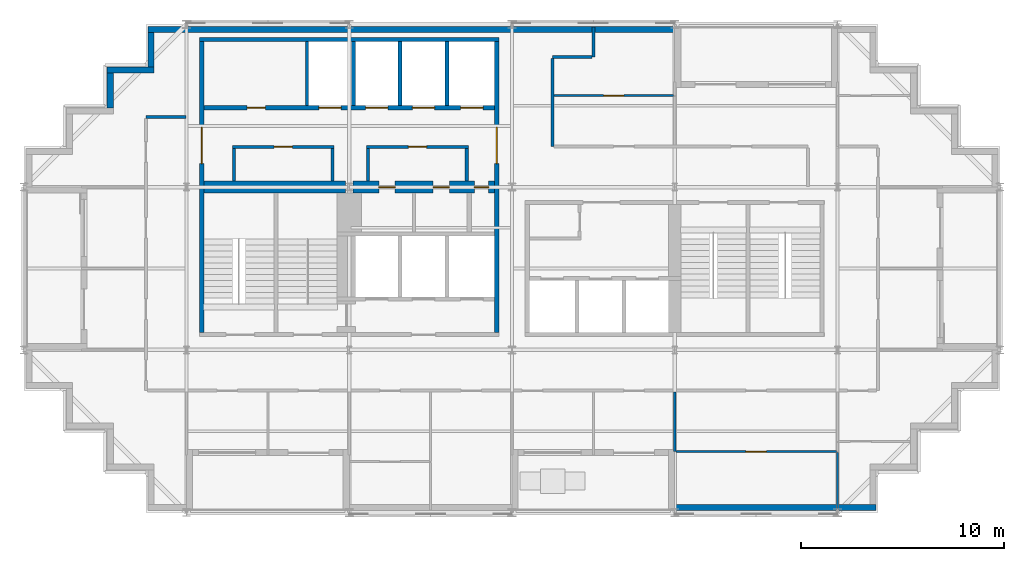
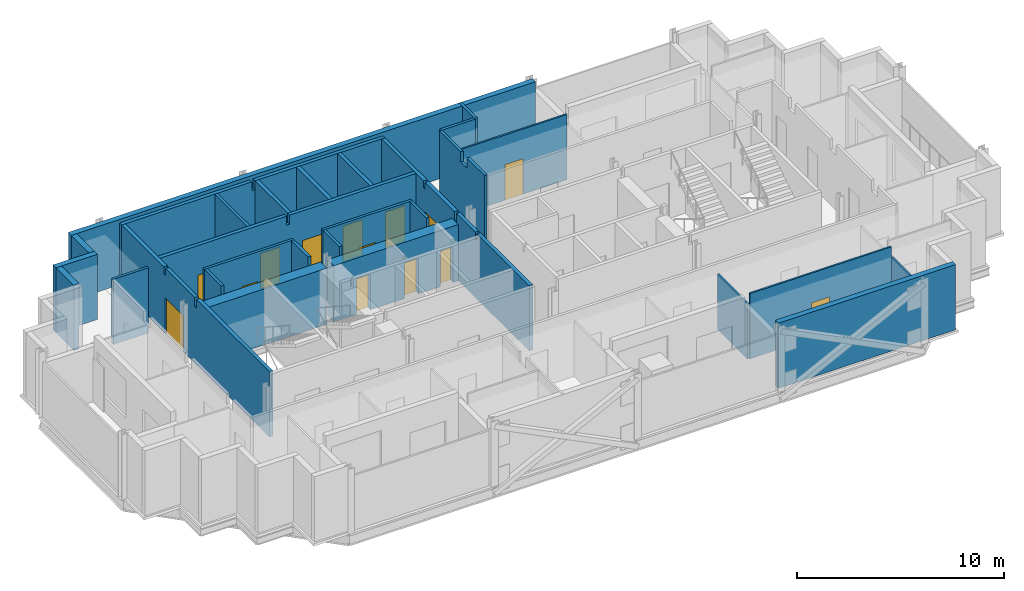
# One storey, part 6 of 10: 29 walls, 14 doors, 14 openings.
"""IFC4 building model written with IfcOpenShell, lengths in metres."""

from ifc_helpers import new_model, si_unit, direction, frame, frame_2d, origin, place, context, subcontext, project, spatial, polyline, rectangle, outline, extrude, material, layer, layer_set, type_object, element, fill, save


model = new_model("IFC4")

# Units and contexts
model_context = context("Model", 3, precision=1e-05, world=origin(), true_north=direction((0.0, 1.0)))
body_context = subcontext(model_context, "Body", "Model", "MODEL_VIEW")
ifc_project = project(units=[si_unit("LENGTHUNIT", "METRE"), si_unit("AREAUNIT", "SQUARE_METRE"), si_unit("VOLUMEUNIT", "CUBIC_METRE"), si_unit("PLANEANGLEUNIT", "RADIAN"), si_unit("MASSUNIT", "GRAM", prefix="KILO")], contexts=[model_context])

# Site, building, storey
site_placement = place(None, origin())
site = spatial("IfcSite", under=ifc_project, at=site_placement, CompositionType="ELEMENT")
building_placement = place(site_placement, origin())
building = spatial("IfcBuilding", under=site, at=building_placement, Name="Immortelle Media Tower", CompositionType="ELEMENT")
storey_placement = place(building_placement, frame((0.0, 0.0, 283.0)))
storey = spatial("IfcBuildingStorey", under=building, at=storey_placement, Name="L62", CompositionType="ELEMENT", Elevation=283.0)

# Wall, openings, doors
ifc_material_1 = material(Name="Fire-rated masonry blockwork", Category="masonry")
ifc_layer_1 = layer(ifc_material_1, 0.60009765625)
ifc_layer_set_1 = layer_set([ifc_layer_1], Name="Fire-rated masonry blockwork")
wall_type_1 = type_object("IfcWallType", Name="Core grid-line wall 600", PredefinedType="PARTITIONING", material=ifc_layer_set_1)
wall_1_placement = place(storey_placement, frame((16.19140625, 16.0, 0.0), z_axis=(0.0, 0.0, 1.0), x_axis=(1.0, 0.0, 0.0)))
wall_1 = element("IfcWall", 1, at=wall_1_placement, inside=storey, type_object=wall_type_1, Name="Core grid-line wall SW", PredefinedType="PARTITIONING", context=body_context, shape_type="SweptSolid", body=[
    extrude(rectangle(XDim=6.95849609375, YDim=0.60009765625, at=frame_2d((3.479248046875, 0.0))), origin(), (0.0, 0.0, 1.0), 3.318115234375),
])
opening_1_placement = place(wall_1_placement, frame((1.258544921875, 0.0, 0.0)))
opening_1 = element("IfcOpeningElement", 2, at=opening_1_placement, cuts=wall_1, Name="Opening X5-K010", PredefinedType="OPENING", context=body_context, shape_type="SweptSolid", body=[
    extrude(rectangle(XDim=0.800048828125, YDim=2.10009765625, at=frame_2d((0.39990234375, 1.050048828125))), frame((0.0, 0.31005859375, 0.0), z_axis=(0.0, -1.0, 0.0), x_axis=(1.0, 0.0, 0.0)), (0.0, 0.0, 1.0), 0.6201171875),
])
opening_2_placement = place(wall_1_placement, frame((4.733642578125, 0.0, 0.0), z_axis=(0.0, 0.0, 1.0), x_axis=(-1.0, 0.0, 0.0)))
opening_2 = element("IfcOpeningElement", 3, at=opening_2_placement, cuts=wall_1, Name="Opening X5-K015", PredefinedType="OPENING", context=body_context, shape_type="SweptSolid", body=[
    extrude(rectangle(XDim=0.800048828125, YDim=2.10009765625, at=frame_2d((0.39990234375, 1.050048828125))), frame((0.0, 0.31005859375, 0.0), z_axis=(0.0, -1.0, 0.0), x_axis=(1.0, 0.0, 0.0)), (0.0, 0.0, 1.0), 0.6201171875),
])
opening_3_placement = place(wall_1_placement, frame((6.658447265625, 0.0, 0.0), z_axis=(0.0, 0.0, 1.0), x_axis=(-1.0, 0.0, 0.0)))
opening_3 = element("IfcOpeningElement", 4, at=opening_3_placement, cuts=wall_1, Name="Opening X5-K018", PredefinedType="OPENING", context=body_context, shape_type="SweptSolid", body=[
    extrude(rectangle(XDim=0.699951171875, YDim=2.10009765625, at=frame_2d((0.35009765625, 1.050048828125))), frame((0.0, 0.31005859375, 0.0), z_axis=(0.0, -1.0, 0.0), x_axis=(1.0, 0.0, 0.0)), (0.0, 0.0, 1.0), 0.6201171875),
])
ifc_material_2 = material(Name="Galvanised steel door leaf and frame ASTM A653", Category="steel")
door_type_1 = type_object("IfcDoorType", Name="Service door 700 x 2100", OperationType="NOTDEFINED", PredefinedType="NOTDEFINED", material=ifc_material_2)
door_1_placement = place(opening_3_placement, origin())
door_1 = element("IfcDoor", 5, at=door_1_placement, inside=storey, type_object=door_type_1, Name="Service X5-K018", OperationType="SINGLE_SWING_RIGHT", OverallHeight=2.10009765625, OverallWidth=0.699951171875, PredefinedType="NOTDEFINED", context=body_context, shape_type="SweptSolid", body=[
    extrude(rectangle(XDim=0.699951171875, YDim=2.10009765625, at=frame_2d((0.35009765625, 1.050048828125))), frame((0.0, 0.02490234375, 0.0), z_axis=(0.0, -1.0, 0.0), x_axis=(1.0, 0.0, 0.0)), (0.0, 0.0, 1.0), 0.050048828125),
])
fill(opening_3, door_1)
ifc_material_3 = material(Name="Timber", Category="wood")
door_type_2 = type_object("IfcDoorType", Name="Toilet door 800 x 2100", OperationType="NOTDEFINED", PredefinedType="NOTDEFINED", material=ifc_material_3)
door_2_placement = place(opening_1_placement, origin())
door_2 = element("IfcDoor", 6, at=door_2_placement, inside=storey, type_object=door_type_2, Name="Toilet X5-K010", OperationType="SINGLE_SWING_LEFT", OverallHeight=2.10009765625, OverallWidth=0.800048828125, PredefinedType="NOTDEFINED", context=body_context, shape_type="SweptSolid", body=[
    extrude(rectangle(XDim=0.800048828125, YDim=2.10009765625, at=frame_2d((0.39990234375, 1.050048828125))), frame((0.0, 0.02490234375, 0.0), z_axis=(0.0, -1.0, 0.0), x_axis=(1.0, 0.0, 0.0)), (0.0, 0.0, 1.0), 0.050048828125),
])
fill(opening_1, door_2)
door_3_placement = place(opening_2_placement, origin())
door_3 = element("IfcDoor", 7, at=door_3_placement, inside=storey, type_object=door_type_2, Name="Toilet X5-K015", OperationType="SINGLE_SWING_RIGHT", OverallHeight=2.10009765625, OverallWidth=0.800048828125, PredefinedType="NOTDEFINED", context=body_context, shape_type="SweptSolid", body=[
    extrude(rectangle(XDim=0.800048828125, YDim=2.10009765625, at=frame_2d((0.39990234375, 1.050048828125))), frame((0.0, 0.02490234375, 0.0), z_axis=(0.0, -1.0, 0.0), x_axis=(1.0, 0.0, 0.0)), (0.0, 0.0, 1.0), 0.050048828125),
])
fill(opening_2, door_3)

# Wall
ifc_material_4 = material(Name="Fire-rated gypsum board", Category="gypsum")
ifc_layer_2 = layer(ifc_material_4, 0.02490234375)
ifc_material_5 = material(Name="Steel ASTM A653 SS Gr 50 stud frame with mineral wool", Category="steel")
ifc_layer_3 = layer(ifc_material_5, 0.10009765625)
ifc_layer_4 = layer(ifc_material_4, 0.02490234375)
ifc_layer_set_2 = layer_set([ifc_layer_2, ifc_layer_3, ifc_layer_4], Name="Steel ASTM A653 SS Gr 50 stud frame with mineral wool")
wall_type_2 = type_object("IfcWallType", Name="Core partition 150", PredefinedType="PARTITIONING", material=ifc_layer_set_2)
wall_2_placement = place(storey_placement, frame((10.324951171875, 16.300048828125, 0.0), z_axis=(0.0, 0.0, 1.0), x_axis=(0.0, 1.0, 0.0)))
element("IfcWall", 8, at=wall_2_placement, inside=storey, type_object=wall_type_2, Name="Core partition SW", PredefinedType="PARTITIONING", context=body_context, shape_type="SweptSolid", body=[
    extrude(rectangle(XDim=1.599853515625, YDim=0.14990234375, at=frame_2d((0.7998046875, 0.0))), origin(), (0.0, 0.0, 1.0), 3.85009765625),
])

# Wall, opening, door
wall_3_placement = place(storey_placement, frame((10.25, 17.97509765625, 0.0), z_axis=(0.0, 0.0, 1.0), x_axis=(1.0, 0.0, 0.0)))
wall_3 = element("IfcWall", 9, at=wall_3_placement, inside=storey, type_object=wall_type_2, Name="Core partition SW", PredefinedType="PARTITIONING", context=body_context, shape_type="SweptSolid", body=[
    extrude(rectangle(XDim=5.0, YDim=0.14990234375, at=frame_2d((2.5, 0.0))), origin(), (0.0, 0.0, 1.0), 3.85009765625),
])
opening_4_placement = place(wall_3_placement, frame((2.949951171875, 0.0, 0.0), z_axis=(0.0, 0.0, 1.0), x_axis=(-1.0, 0.0, 0.0)))
opening_4 = element("IfcOpeningElement", 10, at=opening_4_placement, cuts=wall_3, Name="Opening X5-K004", PredefinedType="OPENING", context=body_context, shape_type="SweptSolid", body=[
    extrude(rectangle(XDim=0.89990234375, YDim=2.10009765625, at=frame_2d((0.449951171875, 1.050048828125))), frame((0.0, 0.0849609375, 0.0), z_axis=(0.0, -1.0, 0.0), x_axis=(1.0, 0.0, 0.0)), (0.0, 0.0, 1.0), 0.169921875),
])
door_type_3 = type_object("IfcDoorType", Name="Room door 900 x 2100", OperationType="NOTDEFINED", PredefinedType="NOTDEFINED", material=ifc_material_3)
door_4_placement = place(opening_4_placement, origin())
door_4 = element("IfcDoor", 11, at=door_4_placement, inside=storey, type_object=door_type_3, Name="Room X5-K004", OperationType="SINGLE_SWING_RIGHT", OverallHeight=2.10009765625, OverallWidth=0.89990234375, PredefinedType="NOTDEFINED", context=body_context, shape_type="SweptSolid", body=[
    extrude(rectangle(XDim=0.89990234375, YDim=2.10009765625, at=frame_2d((0.449951171875, 1.050048828125))), frame((0.0, 0.02490234375, 0.0), z_axis=(0.0, -1.0, 0.0), x_axis=(1.0, 0.0, 0.0)), (0.0, 0.0, 1.0), 0.050048828125),
])
fill(opening_4, door_4)

# Walls
wall_4_placement = place(storey_placement, frame((13.925048828125, 20.0, 0.0), z_axis=(0.0, 0.0, 1.0), x_axis=(0.0, 1.0, 0.0)))
element("IfcWall", 12, at=wall_4_placement, inside=storey, type_object=wall_type_2, Name="Core partition SW", PredefinedType="PARTITIONING", context=body_context, shape_type="SweptSolid", body=[
    extrude(rectangle(XDim=3.14990234375, YDim=0.14990234375, at=frame_2d((1.574951171875, 0.0))), origin(), (0.0, 0.0, 1.0), 3.85009765625),
])
for number, where, z_axis, x_axis, name in (
    (13, (15.175048828125, 16.300048828125, 0.0), (0.0, 0.0, 1.0), (0.0, 1.0, 0.0), "Core partition SW"),
    (14, (16.925048828125, 16.300048828125, 0.0), (0.0, 0.0, 1.0), (0.0, 1.0, 0.0), "Core partition SW"),
):
    element("IfcWall", number, at=place(storey_placement, frame(where, z_axis=z_axis, x_axis=x_axis)), inside=storey, type_object=wall_type_2, Name=name, PredefinedType="PARTITIONING", context=body_context, shape_type="SweptSolid", body=[
        extrude(rectangle(XDim=1.599853515625, YDim=0.14990234375, at=frame_2d((0.7998046875, 0.0))), origin(), (0.0, 0.0, 1.0), 3.85009765625),
    ])

# Wall, opening, door
wall_5_placement = place(storey_placement, frame((16.85009765625, 17.97509765625, 0.0), z_axis=(0.0, 0.0, 1.0), x_axis=(1.0, 0.0, 0.0)))
wall_5 = element("IfcWall", 15, at=wall_5_placement, inside=storey, type_object=wall_type_2, Name="Core partition SW", PredefinedType="PARTITIONING", context=body_context, shape_type="SweptSolid", body=[
    extrude(rectangle(XDim=5.0, YDim=0.14990234375, at=frame_2d((2.5, 0.0))), origin(), (0.0, 0.0, 1.0), 3.85009765625),
])
opening_5_placement = place(wall_5_placement, frame((2.949951171875, 0.0, 0.0), z_axis=(0.0, 0.0, 1.0), x_axis=(-1.0, 0.0, 0.0)))
opening_5 = element("IfcOpeningElement", 16, at=opening_5_placement, cuts=wall_5, Name="Opening X5-K011", PredefinedType="OPENING", context=body_context, shape_type="SweptSolid", body=[
    extrude(rectangle(XDim=0.89990234375, YDim=2.10009765625, at=frame_2d((0.449951171875, 1.050048828125))), frame((0.0, 0.0849609375, 0.0), z_axis=(0.0, -1.0, 0.0), x_axis=(1.0, 0.0, 0.0)), (0.0, 0.0, 1.0), 0.169921875),
])
door_5_placement = place(opening_5_placement, origin())
door_5 = element("IfcDoor", 17, at=door_5_placement, inside=storey, type_object=door_type_3, Name="Room X5-K011", OperationType="SINGLE_SWING_LEFT", OverallHeight=2.10009765625, OverallWidth=0.89990234375, PredefinedType="NOTDEFINED", context=body_context, shape_type="SweptSolid", body=[
    extrude(rectangle(XDim=0.89990234375, YDim=2.10009765625, at=frame_2d((0.449951171875, 1.050048828125))), frame((0.0, 0.02490234375, 0.0), z_axis=(0.0, -1.0, 0.0), x_axis=(1.0, 0.0, 0.0)), (0.0, 0.0, 1.0), 0.050048828125),
])
fill(opening_5, door_5)

# Walls
wall_6_placement = place(storey_placement, frame((21.77490234375, 16.300048828125, 0.0), z_axis=(0.0, 0.0, 1.0), x_axis=(0.0, 1.0, 0.0)))
element("IfcWall", 18, at=wall_6_placement, inside=storey, type_object=wall_type_2, Name="Core partition SW", PredefinedType="PARTITIONING", context=body_context, shape_type="SweptSolid", body=[
    extrude(rectangle(XDim=1.599853515625, YDim=0.14990234375, at=frame_2d((0.7998046875, 0.0))), origin(), (0.0, 0.0, 1.0), 3.85009765625),
])
ifc_layer_5 = layer(ifc_material_4, 0.03759765625)
ifc_layer_6 = layer(ifc_material_5, 0.125)
ifc_layer_7 = layer(ifc_material_4, 0.03759765625)
ifc_layer_set_3 = layer_set([ifc_layer_5, ifc_layer_6, ifc_layer_7], Name="Steel ASTM A653 SS Gr 50 stud frame with mineral wool")
wall_type_3 = type_object("IfcWallType", Name="Core shaft wall 200", PredefinedType="PARTITIONING", material=ifc_layer_set_3)
wall_7_placement = place(storey_placement, frame((8.64990234375, 23.25, 0.0), z_axis=(0.0, 0.0, 1.0), x_axis=(1.0, 0.0, 0.0)))
element("IfcWall", 19, at=wall_7_placement, inside=storey, type_object=wall_type_3, Name="Core shaft wall SW", PredefinedType="PARTITIONING", context=body_context, shape_type="SweptSolid", body=[
    extrude(outline(polyline([(0.0, 0.0), (14.7001953125, 0.0), (14.699951171875, 3.85009765625), (7.4375, 3.85009765625), (7.4365234375, 3.318115234375), (7.263427734375, 3.318115234375), (7.262451171875, 3.85009765625), (0.0, 3.85009765625), (0.0, 0.0)])), frame((0.0, 0.10009765625, 0.0), z_axis=(0.0, -1.0, 0.0), x_axis=(1.0, 0.0, 0.0)), (0.0, 0.0, 1.0), 0.199951171875),
])

# Wall, openings, doors
wall_8_placement = place(storey_placement, frame((8.85009765625, 19.89990234375, 0.0), z_axis=(0.0, 0.0, 1.0), x_axis=(1.0, 0.0, 0.0)))
wall_8 = element("IfcWall", 20, at=wall_8_placement, inside=storey, type_object=wall_type_3, Name="Core shaft wall SW", PredefinedType="PARTITIONING", context=body_context, shape_type="SweptSolid", body=[
    extrude(outline(polyline([(0.0, 0.0), (14.2998046875, 0.0), (14.300048828125, 3.85009765625), (7.237548828125, 3.85009765625), (7.236572265625, 3.318115234375), (7.0634765625, 3.318115234375), (7.0625, 3.85009765625), (0.0, 3.85009765625), (0.0, 0.0)])), frame((0.0, 0.10009765625, 0.0), z_axis=(0.0, -1.0, 0.0), x_axis=(1.0, 0.0, 0.0)), (0.0, 0.0, 1.0), 0.199951171875),
])
opening_6_placement = place(wall_8_placement, frame((2.125, 0.0, 0.0)))
opening_6 = element("IfcOpeningElement", 21, at=opening_6_placement, cuts=wall_8, Name="Opening X5-K003", PredefinedType="OPENING", context=body_context, shape_type="SweptSolid", body=[
    extrude(rectangle(XDim=0.89990234375, YDim=2.10009765625, at=frame_2d((0.449951171875, 1.050048828125))), frame((0.0, 0.10986328125, 0.0), z_axis=(0.0, -1.0, 0.0), x_axis=(1.0, 0.0, 0.0)), (0.0, 0.0, 1.0), 0.219970703125),
])
opening_7_placement = place(wall_8_placement, frame((5.64990234375, 0.0, 0.0)))
opening_7 = element("IfcOpeningElement", 22, at=opening_7_placement, cuts=wall_8, Name="Opening LD", PredefinedType="OPENING", context=body_context, shape_type="SweptSolid", body=[
    extrude(rectangle(XDim=1.10009765625, YDim=2.10009765625, at=frame_2d((0.550048828125, 1.050048828125))), frame((0.0, 0.10986328125, 0.0), z_axis=(0.0, -1.0, 0.0), x_axis=(1.0, 0.0, 0.0)), (0.0, 0.0, 1.0), 0.219970703125),
])
opening_8_placement = place(wall_8_placement, frame((7.949951171875, 0.0, 0.0)))
opening_8 = element("IfcOpeningElement", 23, at=opening_8_placement, cuts=wall_8, Name="Opening LD", PredefinedType="OPENING", context=body_context, shape_type="SweptSolid", body=[
    extrude(rectangle(XDim=1.10009765625, YDim=2.10009765625, at=frame_2d((0.550048828125, 1.050048828125))), frame((0.0, 0.10986328125, 0.0), z_axis=(0.0, -1.0, 0.0), x_axis=(1.0, 0.0, 0.0)), (0.0, 0.0, 1.0), 0.219970703125),
])
opening_9_placement = place(wall_8_placement, frame((10.25, 0.0, 0.0)))
opening_9 = element("IfcOpeningElement", 24, at=opening_9_placement, cuts=wall_8, Name="Opening LD", PredefinedType="OPENING", context=body_context, shape_type="SweptSolid", body=[
    extrude(rectangle(XDim=1.10009765625, YDim=2.10009765625, at=frame_2d((0.550048828125, 1.050048828125))), frame((0.0, 0.10986328125, 0.0), z_axis=(0.0, -1.0, 0.0), x_axis=(1.0, 0.0, 0.0)), (0.0, 0.0, 1.0), 0.219970703125),
])
opening_10_placement = place(wall_8_placement, frame((12.625, 0.0, 0.0)))
opening_10 = element("IfcOpeningElement", 25, at=opening_10_placement, cuts=wall_8, Name="Opening LD", PredefinedType="OPENING", context=body_context, shape_type="SweptSolid", body=[
    extrude(rectangle(XDim=1.10009765625, YDim=2.10009765625, at=frame_2d((0.550048828125, 1.050048828125))), frame((0.0, 0.10986328125, 0.0), z_axis=(0.0, -1.0, 0.0), x_axis=(1.0, 0.0, 0.0)), (0.0, 0.0, 1.0), 0.219970703125),
])
ifc_material_6 = material(Name="Stainless steel AISI 304", Category="steel")
door_type_4 = type_object("IfcDoorType", Name="Landing door 1100 x 2100", OperationType="SLIDING_TO_LEFT", PredefinedType="NOTDEFINED", material=ifc_material_6)
door_6_placement = place(opening_7_placement, origin())
door_6 = element("IfcDoor", 26, at=door_6_placement, inside=storey, type_object=door_type_4, Name="Landing door HR1 L62", OperationType="SLIDING_TO_LEFT", OverallHeight=2.10009765625, OverallWidth=1.10009765625, PredefinedType="NOTDEFINED", context=body_context, shape_type="SweptSolid", body=[
    extrude(rectangle(XDim=1.10009765625, YDim=2.10009765625, at=frame_2d((0.550048828125, 1.050048828125))), frame((0.0, 0.02490234375, 0.0), z_axis=(0.0, -1.0, 0.0), x_axis=(1.0, 0.0, 0.0)), (0.0, 0.0, 1.0), 0.050048828125),
])
fill(opening_7, door_6)
door_7_placement = place(opening_8_placement, origin())
door_7 = element("IfcDoor", 27, at=door_7_placement, inside=storey, type_object=door_type_4, Name="Landing door HR2 L62", OperationType="SLIDING_TO_LEFT", OverallHeight=2.10009765625, OverallWidth=1.10009765625, PredefinedType="NOTDEFINED", context=body_context, shape_type="SweptSolid", body=[
    extrude(rectangle(XDim=1.10009765625, YDim=2.10009765625, at=frame_2d((0.550048828125, 1.050048828125))), frame((0.0, 0.02490234375, 0.0), z_axis=(0.0, -1.0, 0.0), x_axis=(1.0, 0.0, 0.0)), (0.0, 0.0, 1.0), 0.050048828125),
])
fill(opening_8, door_7)
door_8_placement = place(opening_9_placement, origin())
door_8 = element("IfcDoor", 28, at=door_8_placement, inside=storey, type_object=door_type_4, Name="Landing door HR3 L62", OperationType="SLIDING_TO_LEFT", OverallHeight=2.10009765625, OverallWidth=1.10009765625, PredefinedType="NOTDEFINED", context=body_context, shape_type="SweptSolid", body=[
    extrude(rectangle(XDim=1.10009765625, YDim=2.10009765625, at=frame_2d((0.550048828125, 1.050048828125))), frame((0.0, 0.02490234375, 0.0), z_axis=(0.0, -1.0, 0.0), x_axis=(1.0, 0.0, 0.0)), (0.0, 0.0, 1.0), 0.050048828125),
])
fill(opening_9, door_8)
door_9_placement = place(opening_10_placement, origin())
door_9 = element("IfcDoor", 29, at=door_9_placement, inside=storey, type_object=door_type_4, Name="Landing door HR4 L62", OperationType="SLIDING_TO_LEFT", OverallHeight=2.10009765625, OverallWidth=1.10009765625, PredefinedType="NOTDEFINED", context=body_context, shape_type="SweptSolid", body=[
    extrude(rectangle(XDim=1.10009765625, YDim=2.10009765625, at=frame_2d((0.550048828125, 1.050048828125))), frame((0.0, 0.02490234375, 0.0), z_axis=(0.0, -1.0, 0.0), x_axis=(1.0, 0.0, 0.0)), (0.0, 0.0, 1.0), 0.050048828125),
])
fill(opening_10, door_9)
door_10_placement = place(opening_6_placement, origin())
door_10 = element("IfcDoor", 30, at=door_10_placement, inside=storey, type_object=door_type_3, Name="Room X5-K003", OperationType="SINGLE_SWING_LEFT", OverallHeight=2.10009765625, OverallWidth=0.89990234375, PredefinedType="NOTDEFINED", context=body_context, shape_type="SweptSolid", body=[
    extrude(rectangle(XDim=0.89990234375, YDim=2.10009765625, at=frame_2d((0.449951171875, 1.050048828125))), frame((0.0, 0.02490234375, 0.0), z_axis=(0.0, -1.0, 0.0), x_axis=(1.0, 0.0, 0.0)), (0.0, 0.0, 1.0), 0.050048828125),
])
fill(opening_6, door_10)

# Walls
for number, where, z_axis, x_axis, name in (
    (31, (16.199951171875, 20.0, 0.0), (0.0, 0.0, 1.0), (0.0, 1.0, 0.0), "Core shaft wall SW"),
    (32, (18.5, 20.0, 0.0), (0.0, 0.0, 1.0), (0.0, 1.0, 0.0), "Core shaft wall SW"),
    (33, (20.800048828125, 20.0, 0.0), (0.0, 0.0, 1.0), (0.0, 1.0, 0.0), "Core shaft wall SW"),
):
    element("IfcWall", number, at=place(storey_placement, frame(where, z_axis=z_axis, x_axis=x_axis)), inside=storey, type_object=wall_type_3, Name=name, PredefinedType="PARTITIONING", context=body_context, shape_type="SweptSolid", body=[
        extrude(rectangle(XDim=3.14990234375, YDim=0.199951171875, at=frame_2d((1.574951171875, 0.0))), origin(), (0.0, 0.0, 1.0), 3.85009765625),
    ])

# Wall, opening, door
wall_9_placement = place(storey_placement, frame((23.25, 8.85009765625, 0.0), z_axis=(0.0, 0.0, 1.0), x_axis=(0.0, 1.0, 0.0)))
wall_9 = element("IfcWall", 34, at=wall_9_placement, inside=storey, type_object=wall_type_3, Name="Core shaft wall SW", PredefinedType="PARTITIONING", context=body_context, shape_type="SweptSolid", body=[
    extrude(outline(polyline([(0.0, 0.0), (14.2998046875, 0.0), (14.300048828125, 3.85009765625), (10.22509765625, 3.85009765625), (10.22412109375, 3.43994140625), (10.075927734375, 3.43994140625), (10.074951171875, 3.85009765625), (7.237548828125, 3.85009765625), (7.236572265625, 3.318115234375), (7.0634765625, 3.318115234375), (7.0625, 3.85009765625), (5.22509765625, 3.85009765625), (5.22412109375, 3.43994140625), (5.075927734375, 3.43994140625), (5.074951171875, 3.85009765625), (0.0, 3.85009765625), (0.0, 0.0)])), frame((0.0, 0.10009765625, 0.0), z_axis=(0.0, -1.0, 0.0), x_axis=(1.0, 0.0, 0.0)), (0.0, 0.0, 1.0), 0.199951171875),
])
opening_11_placement = place(wall_9_placement, frame((8.300048828125, 0.0, 0.0)))
opening_11 = element("IfcOpeningElement", 35, at=opening_11_placement, cuts=wall_9, Name="Opening X5-K019", PredefinedType="OPENING", context=body_context, shape_type="SweptSolid", body=[
    extrude(rectangle(XDim=1.800048828125, YDim=2.10009765625, at=frame_2d((0.89990234375, 1.050048828125))), frame((0.0, 0.10986328125, 0.0), z_axis=(0.0, -1.0, 0.0), x_axis=(1.0, 0.0, 0.0)), (0.0, 0.0, 1.0), 0.219970703125),
])
door_type_5 = type_object("IfcDoorType", Name="Lift lobby door 1800 x 2100", OperationType="DOUBLE_DOOR_SINGLE_SWING", PredefinedType="NOTDEFINED", material=ifc_material_2)
door_11_placement = place(opening_11_placement, origin())
door_11 = element("IfcDoor", 36, at=door_11_placement, inside=storey, type_object=door_type_5, Name="Lift lobby X5-K019", OperationType="DOUBLE_DOOR_SINGLE_SWING", OverallHeight=2.10009765625, OverallWidth=1.800048828125, PredefinedType="NOTDEFINED", context=body_context, shape_type="SweptSolid", body=[
    extrude(rectangle(XDim=1.800048828125, YDim=2.10009765625, at=frame_2d((0.89990234375, 1.050048828125))), frame((0.0, 0.02490234375, 0.0), z_axis=(0.0, -1.0, 0.0), x_axis=(1.0, 0.0, 0.0)), (0.0, 0.0, 1.0), 0.050048828125),
])
fill(opening_11, door_11)

# Walls
ifc_layer_8 = layer(ifc_material_4, 0.012451171875)
ifc_layer_9 = layer(ifc_material_5, 0.125)
ifc_layer_10 = layer(ifc_material_4, 0.012451171875)
ifc_layer_set_4 = layer_set([ifc_layer_8, ifc_layer_9, ifc_layer_10], Name="Steel ASTM A653 SS Gr 50 stud frame with mineral wool")
wall_type_4 = type_object("IfcWallType", Name="Corridor wall 150", PredefinedType="PARTITIONING", material=ifc_layer_set_4)
wall_10_placement = place(storey_placement, frame((26.0, 18.0, 0.0), z_axis=(0.0, 0.0, 1.0), x_axis=(0.0, 1.0, 0.0)))
element("IfcWall", 37, at=wall_10_placement, inside=storey, type_object=wall_type_4, Name="Partition L62-027", PredefinedType="PARTITIONING", context=body_context, shape_type="SweptSolid", body=[
    extrude(outline(polyline([(0.0, 0.0), (4.324951171875, 0.0), (4.324951171875, 3.85009765625), (2.300048828125, 3.85009765625), (2.298095703125, 3.238037109375), (1.701904296875, 3.238037109375), (1.699951171875, 3.85009765625), (0.0, 3.85009765625), (0.0, 0.0)])), frame((0.0, 0.074951171875, 0.0), z_axis=(0.0, -1.0, 0.0), x_axis=(1.0, 0.0, 0.0)), (0.0, 0.0, 1.0), 0.14990234375),
])
wall_11_placement = place(storey_placement, frame((6.0, 19.449951171875, 0.0), z_axis=(0.0, 0.0, 1.0), x_axis=(1.0, 0.0, 0.0)))
element("IfcWall", 38, at=wall_11_placement, inside=storey, type_object=wall_type_4, Name="Partition L62-031", PredefinedType="PARTITIONING", context=body_context, shape_type="SweptSolid", body=[
    extrude(rectangle(XDim=1.969970703125, YDim=0.14990234375, at=frame_2d((0.98486328125, 0.0))), origin(), (0.0, 0.0, 1.0), 3.85009765625),
])
wall_12_placement = place(storey_placement, frame((26.0, 22.39990234375, 0.0), z_axis=(0.0, 0.0, 1.0), x_axis=(1.0, 0.0, 0.0)))
element("IfcWall", 39, at=wall_12_placement, inside=storey, type_object=wall_type_4, Name="Partition L62-036", PredefinedType="PARTITIONING", context=body_context, shape_type="SweptSolid", body=[
    extrude(rectangle(XDim=1.925048828125, YDim=0.14990234375, at=frame_2d((0.96240234375, 0.0))), origin(), (0.0, 0.0, 1.0), 3.85009765625),
])
wall_13_placement = place(storey_placement, frame((28.0, 22.39990234375, 0.0), z_axis=(0.0, 0.0, 1.0), x_axis=(0.0, 1.0, 0.0)))
element("IfcWall", 40, at=wall_13_placement, inside=storey, type_object=wall_type_4, Name="Partition L62-037", PredefinedType="PARTITIONING", context=body_context, shape_type="SweptSolid", body=[
    extrude(rectangle(XDim=1.47021484375, YDim=0.14990234375, at=frame_2d((0.735107421875, 0.0))), origin(), (0.0, 0.0, 1.0), 3.85009765625),
])
ifc_material_7 = material(Name="Pale aluminium cladding panel", Category="aluminium")
ifc_layer_11 = layer(ifc_material_7, 0.030029296875)
ifc_layer_12 = layer(ifc_material_5, 0.257568359375)
ifc_material_8 = material(Name="Moisture-resistant gypsum board", Category="gypsum")
ifc_layer_13 = layer(ifc_material_8, 0.012451171875)
ifc_layer_set_5 = layer_set([ifc_layer_11, ifc_layer_12, ifc_layer_13], Name="Steel ASTM A653 SS Gr 50 stud frame with mineral wool")
wall_type_5 = type_object("IfcWallType", Name="Facade wall 300", PredefinedType="SOLIDWALL", material=ifc_layer_set_5)
wall_14_placement = place(storey_placement, frame((32.0, 0.25, 0.0), z_axis=(0.0, 0.0, 1.0), x_axis=(1.0, 0.0, 0.0)))
element("IfcWall", 41, at=wall_14_placement, inside=storey, type_object=wall_type_5, Name="Facade wall L62 S6", PredefinedType="SOLIDWALL", context=body_context, shape_type="SweptSolid", body=[
    extrude(rectangle(XDim=9.89990234375, YDim=0.300048828125, at=frame_2d((4.949951171875, 0.0))), origin(), (0.0, 0.0, 1.0), 3.85009765625),
])
wall_15_placement = place(storey_placement, frame((32.0, 23.75, 0.0), z_axis=(0.0, 0.0, 1.0), x_axis=(-1.0, 0.0, 0.0)))
element("IfcWall", 42, at=wall_15_placement, inside=storey, type_object=wall_type_5, Name="Facade wall L62 N20", PredefinedType="SOLIDWALL", context=body_context, shape_type="SweptSolid", body=[
    extrude(rectangle(XDim=25.89990234375, YDim=0.300048828125, at=frame_2d((12.949951171875, 0.0))), origin(), (0.0, 0.0, 1.0), 3.85009765625),
])
wall_16_placement = place(storey_placement, frame((6.25, 23.60009765625, 0.0), z_axis=(0.0, 0.0, 1.0), x_axis=(0.0, -1.0, 0.0)))
element("IfcWall", 43, at=wall_16_placement, inside=storey, type_object=wall_type_5, Name="Facade wall L62 W21", PredefinedType="SOLIDWALL", context=body_context, shape_type="SweptSolid", body=[
    extrude(rectangle(XDim=1.7001953125, YDim=0.300048828125, at=frame_2d((0.85009765625, 0.0))), origin(), (0.0, 0.0, 1.0), 3.85009765625),
])
wall_17_placement = place(storey_placement, frame((6.39990234375, 21.75, 0.0), z_axis=(0.0, 0.0, 1.0), x_axis=(-1.0, 0.0, 0.0)))
element("IfcWall", 44, at=wall_17_placement, inside=storey, type_object=wall_type_5, Name="Facade wall L62 N22", PredefinedType="SOLIDWALL", context=body_context, shape_type="SweptSolid", body=[
    extrude(rectangle(XDim=2.2998046875, YDim=0.300048828125, at=frame_2d((1.14990234375, 0.0))), origin(), (0.0, 0.0, 1.0), 3.85009765625),
])
wall_18_placement = place(storey_placement, frame((4.25, 21.60009765625, 0.0), z_axis=(0.0, 0.0, 1.0), x_axis=(0.0, -1.0, 0.0)))
element("IfcWall", 45, at=wall_18_placement, inside=storey, type_object=wall_type_5, Name="Facade wall L62 W23", PredefinedType="SOLIDWALL", context=body_context, shape_type="SweptSolid", body=[
    extrude(rectangle(XDim=1.7001953125, YDim=0.300048828125, at=frame_2d((0.85009765625, 0.0))), origin(), (0.0, 0.0, 1.0), 3.85009765625),
])
ifc_material_9 = material(Name="Gypsum board", Category="gypsum")
ifc_layer_14 = layer(ifc_material_9, 0.012451171875)
ifc_layer_15 = layer(ifc_material_5, 0.074951171875)
ifc_layer_16 = layer(ifc_material_9, 0.012451171875)
ifc_layer_set_6 = layer_set([ifc_layer_14, ifc_layer_15, ifc_layer_16], Name="Steel ASTM A653 SS Gr 50 stud frame with mineral wool")
wall_type_6 = type_object("IfcWallType", Name="Partition 100", PredefinedType="PARTITIONING", material=ifc_layer_set_6)
wall_19_placement = place(storey_placement, frame((40.0, 0.1298828125, 0.0), z_axis=(0.0, 0.0, 1.0), x_axis=(0.0, 1.0, 0.0)))
element("IfcWall", 46, at=wall_19_placement, inside=storey, type_object=wall_type_6, Name="Partition L62-002", PredefinedType="PARTITIONING", context=body_context, shape_type="SweptSolid", body=[
    extrude(rectangle(XDim=2.820068359375, YDim=0.10009765625, at=frame_2d((1.41015625, 0.0))), origin(), (0.0, 0.0, 1.0), 3.238037109375),
])

# Wall, opening, door
wall_20_placement = place(storey_placement, frame((32.050048828125, 3.0, 0.0), z_axis=(0.0, 0.0, 1.0), x_axis=(1.0, 0.0, 0.0)))
wall_20 = element("IfcWall", 47, at=wall_20_placement, inside=storey, type_object=wall_type_6, Name="Partition L62-010", PredefinedType="PARTITIONING", context=body_context, shape_type="SweptSolid", body=[
    extrude(rectangle(XDim=7.89990234375, YDim=0.10009765625, at=frame_2d((3.949951171875, 0.0))), origin(), (0.0, 0.0, 1.0), 3.85009765625),
])
opening_12_placement = place(wall_20_placement, frame((4.449951171875, 0.0, 0.0), z_axis=(0.0, 0.0, 1.0), x_axis=(-1.0, 0.0, 0.0)))
opening_12 = element("IfcOpeningElement", 48, at=opening_12_placement, cuts=wall_20, Name="Opening X5-F005", PredefinedType="OPENING", context=body_context, shape_type="SweptSolid", body=[
    extrude(rectangle(XDim=1.0, YDim=2.10009765625, at=frame_2d((0.5, 1.050048828125))), frame((0.0, 0.06005859375, 0.0), z_axis=(0.0, -1.0, 0.0), x_axis=(1.0, 0.0, 0.0)), (0.0, 0.0, 1.0), 0.1201171875),
])
ifc_material_10 = material(Name="Timber veneered door leaf, galvanised steel frame ASTM A653", Category="steel")
door_type_6 = type_object("IfcDoorType", Name="Room door 1000 x 2100", OperationType="NOTDEFINED", PredefinedType="DOOR", material=ifc_material_10)
door_12_placement = place(opening_12_placement, origin())
door_12 = element("IfcDoor", 49, at=door_12_placement, inside=storey, type_object=door_type_6, Name="Door X5-F005", OperationType="SINGLE_SWING_RIGHT", OverallHeight=2.10009765625, OverallWidth=1.0, PredefinedType="DOOR", context=body_context, shape_type="SweptSolid", body=[
    extrude(rectangle(XDim=1.0, YDim=2.10009765625, at=frame_2d((0.5, 1.050048828125))), frame((0.0, 0.02490234375, 0.0), z_axis=(0.0, -1.0, 0.0), x_axis=(1.0, 0.0, 0.0)), (0.0, 0.0, 1.0), 0.050048828125),
])
fill(opening_12, door_12)

# Wall
wall_21_placement = place(storey_placement, frame((32.0, 3.0, 0.0), z_axis=(0.0, 0.0, 1.0), x_axis=(0.0, 1.0, 0.0)))
element("IfcWall", 50, at=wall_21_placement, inside=storey, type_object=wall_type_6, Name="Partition L62-011", PredefinedType="PARTITIONING", context=body_context, shape_type="SweptSolid", body=[
    extrude(rectangle(XDim=2.925048828125, YDim=0.10009765625, at=frame_2d((1.46240234375, 0.0))), origin(), (0.0, 0.0, 1.0), 3.238037109375),
])

# Wall, opening, door
wall_22_placement = place(storey_placement, frame((26.074951171875, 20.5, 0.0), z_axis=(0.0, 0.0, 1.0), x_axis=(1.0, 0.0, 0.0)))
wall_22 = element("IfcWall", 51, at=wall_22_placement, inside=storey, type_object=wall_type_6, Name="Partition L62-032", PredefinedType="PARTITIONING", context=body_context, shape_type="SweptSolid", body=[
    extrude(rectangle(XDim=5.875, YDim=0.10009765625, at=frame_2d((2.9375, 0.0))), origin(), (0.0, 0.0, 1.0), 3.85009765625),
])
opening_13_placement = place(wall_22_placement, frame((2.425048828125, 0.0, 0.0)))
opening_13 = element("IfcOpeningElement", 52, at=opening_13_placement, cuts=wall_22, Name="Opening X5-F022", PredefinedType="OPENING", context=body_context, shape_type="SweptSolid", body=[
    extrude(rectangle(XDim=1.0, YDim=2.10009765625, at=frame_2d((0.5, 1.050048828125))), frame((0.0, 0.06005859375, 0.0), z_axis=(0.0, -1.0, 0.0), x_axis=(1.0, 0.0, 0.0)), (0.0, 0.0, 1.0), 0.1201171875),
])
door_13_placement = place(opening_13_placement, origin())
door_13 = element("IfcDoor", 53, at=door_13_placement, inside=storey, type_object=door_type_6, Name="Door X5-F022", OperationType="SINGLE_SWING_RIGHT", OverallHeight=2.10009765625, OverallWidth=1.0, PredefinedType="DOOR", context=body_context, shape_type="SweptSolid", body=[
    extrude(rectangle(XDim=1.0, YDim=2.10009765625, at=frame_2d((0.5, 1.050048828125))), frame((0.0, 0.02490234375, 0.0), z_axis=(0.0, -1.0, 0.0), x_axis=(1.0, 0.0, 0.0)), (0.0, 0.0, 1.0), 0.050048828125),
])
fill(opening_13, door_13)

ifc_material_11 = material(Name="Concrete C60", Category="concrete")
ifc_layer_17 = layer(ifc_material_11, 0.199951171875)
ifc_layer_set_7 = layer_set([ifc_layer_17], Name="Concrete C60")
wall_type_7 = type_object("IfcWallType", Name="Stair shaft wall 200", PredefinedType="PARTITIONING", material=ifc_layer_set_7)
wall_23_placement = place(storey_placement, frame((8.75, 8.85009765625, 0.0), z_axis=(0.0, 0.0, 1.0), x_axis=(0.0, 1.0, 0.0)))
wall_23 = element("IfcWall", 54, at=wall_23_placement, inside=storey, type_object=wall_type_7, Name="Stair shaft wall SW", PredefinedType="PARTITIONING", context=body_context, shape_type="SweptSolid", body=[
    extrude(outline(polyline([(0.0, 0.0), (14.2998046875, 0.0), (14.300048828125, 3.85009765625), (10.22509765625, 3.85009765625), (10.22412109375, 3.43994140625), (10.075927734375, 3.43994140625), (10.074951171875, 3.85009765625), (7.237548828125, 3.85009765625), (7.236572265625, 3.318115234375), (7.0634765625, 3.318115234375), (7.0625, 3.85009765625), (0.0, 3.85009765625), (0.0, 0.0)])), frame((0.0, 0.10009765625, 0.0), z_axis=(0.0, -1.0, 0.0), x_axis=(1.0, 0.0, 0.0)), (0.0, 0.0, 1.0), 0.199951171875),
])
opening_14_placement = place(wall_23_placement, frame((8.300048828125, 0.0, 0.0)))
opening_14 = element("IfcOpeningElement", 55, at=opening_14_placement, cuts=wall_23, Name="Opening X5-K001", PredefinedType="OPENING", context=body_context, shape_type="SweptSolid", body=[
    extrude(rectangle(XDim=1.800048828125, YDim=2.10009765625, at=frame_2d((0.89990234375, 1.050048828125))), frame((0.0, 0.10986328125, 0.0), z_axis=(0.0, -1.0, 0.0), x_axis=(1.0, 0.0, 0.0)), (0.0, 0.0, 1.0), 0.219970703125),
])
door_14_placement = place(opening_14_placement, origin())
door_14 = element("IfcDoor", 56, at=door_14_placement, inside=storey, type_object=door_type_5, Name="Lift lobby X5-K001", OperationType="DOUBLE_DOOR_SINGLE_SWING", OverallHeight=2.10009765625, OverallWidth=1.800048828125, PredefinedType="NOTDEFINED", context=body_context, shape_type="SweptSolid", body=[
    extrude(rectangle(XDim=1.800048828125, YDim=2.10009765625, at=frame_2d((0.89990234375, 1.050048828125))), frame((0.0, 0.02490234375, 0.0), z_axis=(0.0, -1.0, 0.0), x_axis=(1.0, 0.0, 0.0)), (0.0, 0.0, 1.0), 0.050048828125),
])
fill(opening_14, door_14)

# Wall
ifc_layer_18 = layer(ifc_material_11, 0.60009765625)
ifc_layer_set_8 = layer_set([ifc_layer_18], Name="Concrete C60")
wall_type_8 = type_object("IfcWallType", Name="Stair shaft wall 600", PredefinedType="PARTITIONING", material=ifc_layer_set_8)
wall_24_placement = place(storey_placement, frame((8.85009765625, 16.0, 0.0), z_axis=(0.0, 0.0, 1.0), x_axis=(1.0, 0.0, 0.0)))
element("IfcWall", 57, at=wall_24_placement, inside=storey, type_object=wall_type_8, Name="Stair shaft wall SW", PredefinedType="PARTITIONING", context=body_context, shape_type="SweptSolid", body=[
    extrude(rectangle(XDim=6.95849609375, YDim=0.60009765625, at=frame_2d((3.479248046875, 0.0))), origin(), (0.0, 0.0, 1.0), 3.318115234375),
])

save(model, "model.ifc")
